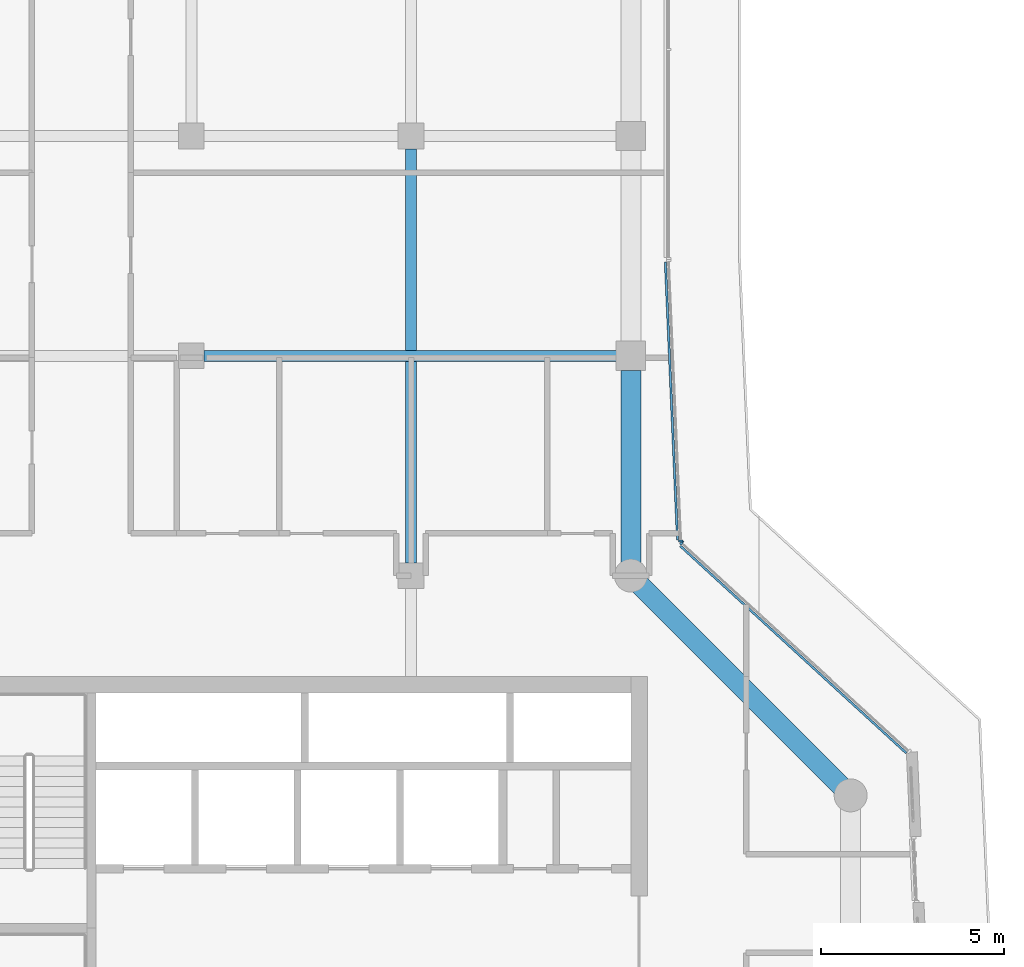
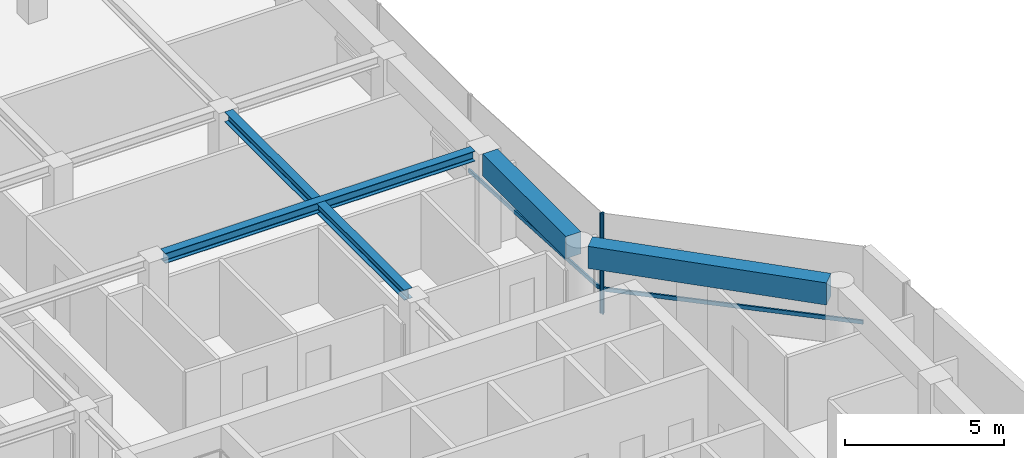
# One storey, part 5 of 21: 4 beams, 4 members, 2 elements without a shape of their own.
"""IFC4 building model written with IfcOpenShell, lengths in metres."""

from ifc_helpers import new_model, si_unit, direction, frame, origin, origin_2d, place, context, subcontext, project, spatial, rectangle, i_section, extrude, material, layer, layer_set, material_profile, profile_set, type_object, element, aggregate, save


model = new_model("IFC4")

# Units and contexts
model_context = context("Model", 3, precision=1e-05, world=origin(), true_north=direction((0.0, 1.0)))
body_context = subcontext(model_context, "Body", "Model", "MODEL_VIEW")
ifc_project = project(units=[si_unit("LENGTHUNIT", "METRE"), si_unit("AREAUNIT", "SQUARE_METRE"), si_unit("VOLUMEUNIT", "CUBIC_METRE"), si_unit("PLANEANGLEUNIT", "RADIAN"), si_unit("MASSUNIT", "GRAM", prefix="KILO")], contexts=[model_context])

# Site, building, storey
site_placement = place(None, origin())
site = spatial("IfcSite", under=ifc_project, at=site_placement, CompositionType="ELEMENT")
building_placement = place(site_placement, origin())
building = spatial("IfcBuilding", under=site, at=building_placement, Name="Welwitschia Terrace Campus", CompositionType="ELEMENT")
storey_placement = place(building_placement, frame((0.0, 0.0, 218.0)))
storey = spatial("IfcBuildingStorey", under=building, at=storey_placement, Name="L48", CompositionType="ELEMENT", Elevation=218.0)

# Beams
ifc_material_1 = material(Name="Steel S355", Category="steel")
ifc_material_profile_1 = material_profile(ifc_material_1, i_section(OverallWidth=0.300048828125, OverallDepth=0.389892578125, WebThickness=0.010986328125, FlangeThickness=0.01904296875, FilletRadius=0.027099609375, at=origin_2d()))
ifc_profile_set_1 = profile_set([ifc_material_profile_1], Name="Steel S355")
beam_type_1 = type_object("IfcBeamType", Name="Interior girder HE 400 A", PredefinedType="BEAM", material=ifc_profile_set_1)
beam_1_placement = place(storey_placement, frame((12.3505859375, 34.0, 3.655029296875), z_axis=(1.0, 0.0, 0.0), x_axis=(0.0, 1.0, 0.0)))
element("IfcBeam", 1, at=beam_1_placement, inside=storey, type_object=beam_type_1, Name="Girder GB5", PredefinedType="BEAM", context=body_context, shape_type="SweptSolid", body=[
    extrude(i_section(OverallWidth=0.300048828125, OverallDepth=0.389892578125, WebThickness=0.010986328125, FlangeThickness=0.01904296875, FilletRadius=0.027099609375, at=origin_2d()), origin(), (0.0, 0.0, 1.0), 11.259033203125),
])
beam_2_placement = place(storey_placement, frame((18.0, 28.3505859375, 3.655029296875), z_axis=(0.0, 1.0, 0.0), x_axis=(-1.0, 0.0, 0.0)))
element("IfcBeam", 2, at=beam_2_placement, inside=storey, type_object=beam_type_1, Name="Girder GB5", PredefinedType="BEAM", context=body_context, shape_type="SweptSolid", body=[
    extrude(i_section(OverallWidth=0.300048828125, OverallDepth=0.389892578125, WebThickness=0.010986328125, FlangeThickness=0.01904296875, FilletRadius=0.027099609375, at=origin_2d()), origin(), (0.0, 0.0, 1.0), 11.298828125),
])

# Curtain wall, member
ifc_material_2 = material(Name="Bronze anodised aluminium", Category="aluminium")
ifc_layer = layer(ifc_material_2, 0.1201171875)
ifc_layer_set = layer_set([ifc_layer], Name="Bronze anodised aluminium")
curtain_wall_type = type_object("IfcCurtainWallType", Name="Curtain wall CW2 tower 6000", PredefinedType="NOTDEFINED", material=ifc_layer_set)
curtain_wall_1_placement = place(storey_placement, origin())
curtain_wall_1 = element("IfcCurtainWall", 3, at=curtain_wall_1_placement, inside=storey, type_object=curtain_wall_type, Name="CW L48.4.0", PredefinedType="NOTDEFINED")
ifc_material_3 = material(Name="Bronze anodised aluminium", Category="aluminium")
ifc_material_profile_2 = material_profile(ifc_material_3, rectangle(XDim=0.1201171875, YDim=0.06005859375, at=origin_2d()))
ifc_profile_set_2 = profile_set([ifc_material_profile_2], Name="Bronze anodised aluminium")
member_type_1 = type_object("IfcMemberType", Name="Mullion 60x120", PredefinedType="MULLION", material=ifc_profile_set_2)
member_1_placement = place(storey_placement, frame((25.388916015625, 28.896240234375, 0.0), z_axis=(0.0, 0.0, 1.0), x_axis=(-0.675590207616, -0.73727733681, 0.0)))
member_1 = element("IfcMember", 4, at=member_1_placement, type_object=member_type_1, Name="Mullion L48.4.0.1", PredefinedType="MULLION", context=body_context, shape_type="SweptSolid", body=[
    extrude(rectangle(XDim=0.1201171875, YDim=0.06005859375, at=origin_2d()), origin(), (0.0, 0.0, 1.0), 3.85009765625),
])

curtain_wall_2_placement = place(storey_placement, origin())
curtain_wall_2 = element("IfcCurtainWall", 5, at=curtain_wall_2_placement, inside=storey, type_object=curtain_wall_type, Name="CW L48.5.0", PredefinedType="NOTDEFINED")
member_2_placement = place(storey_placement, frame((25.365478515625, 28.946533203125, 0.0), z_axis=(0.0, 0.0, 1.0), x_axis=(-0.999048221582, -0.043619387365, 0.0)))
member_2 = element("IfcMember", 6, at=member_2_placement, type_object=member_type_1, Name="Mullion L48.5.0.0", PredefinedType="MULLION", context=body_context, shape_type="SweptSolid", body=[
    extrude(rectangle(XDim=0.1201171875, YDim=0.06005859375, at=origin_2d()), origin(), (0.0, 0.0, 1.0), 3.85009765625),
])

# Beams
ifc_material_4 = material(Name="Concrete C50/60", Category="concrete")
ifc_material_profile_3 = material_profile(ifc_material_4, rectangle(XDim=0.550048828125, YDim=0.85009765625, at=origin_2d()))
ifc_profile_set_3 = profile_set([ifc_material_profile_3], Name="Concrete C50/60")
beam_type_2 = type_object("IfcBeamType", Name="Ring spandrel 550x850", PredefinedType="SPANDREL", material=ifc_profile_set_3)
beam_3_placement = place(storey_placement, frame((29.74755859375, 22.25244140625, 3.425048828125), z_axis=(-0.707106781187, 0.707106781187, 0.0), x_axis=(-0.707106781187, -0.707106781187, 0.0)))
element("IfcBeam", 7, at=beam_3_placement, inside=storey, type_object=beam_type_2, Name="Spandrel SP3", PredefinedType="SPANDREL", context=body_context, shape_type="SweptSolid", body=[
    extrude(rectangle(XDim=0.550048828125, YDim=0.85009765625, at=origin_2d()), origin(), (0.0, 0.0, 1.0), 7.771240234375),
])
beam_4_placement = place(storey_placement, frame((24.0, 28.35693359375, 3.425048828125), z_axis=(0.0, 1.0, 0.0), x_axis=(-1.0, 0.0, 0.0)))
element("IfcBeam", 8, at=beam_4_placement, inside=storey, type_object=beam_type_2, Name="Spandrel SP3", PredefinedType="SPANDREL", context=body_context, shape_type="SweptSolid", body=[
    extrude(rectangle(XDim=0.550048828125, YDim=0.85009765625, at=origin_2d()), origin(), (0.0, 0.0, 1.0), 5.24267578125),
])

# Member
ifc_material_5 = material(Name="Bronze anodised aluminium", Category="aluminium")
ifc_material_profile_4 = material_profile(ifc_material_5, rectangle(XDim=0.06005859375, YDim=0.14990234375, at=origin_2d()))
ifc_profile_set_4 = profile_set([ifc_material_profile_4], Name="Bronze anodised aluminium")
member_type_2 = type_object("IfcMemberType", Name="Transom 60x150", PredefinedType="USERDEFINED", material=ifc_profile_set_4)
member_3_placement = place(storey_placement, frame((31.517822265625, 23.158203125, 1.0), z_axis=(-0.737295863044, 0.675569989223, 0.0), x_axis=(-0.675569989223, -0.737295863044, 0.0)))
member_3 = element("IfcMember", 9, at=member_3_placement, type_object=member_type_2, Name="Transom L48.4.0", ObjectType="TRANSOM", PredefinedType="USERDEFINED", context=body_context, shape_type="SweptSolid", body=[
    extrude(rectangle(XDim=0.06005859375, YDim=0.14990234375, at=origin_2d()), origin(), (0.0, 0.0, 1.0), 8.365234375),
])

aggregate(curtain_wall_1, [member_1, member_3])

member_4_placement = place(storey_placement, frame((25.274169921875, 28.97265625, 1.0), z_axis=(-0.04362402604, 0.999048019042, 0.0), x_axis=(-0.999048019042, -0.04362402604, 0.0)))
member_4 = element("IfcMember", 10, at=member_4_placement, type_object=member_type_2, Name="Transom L48.5.0", ObjectType="TRANSOM", PredefinedType="USERDEFINED", context=body_context, shape_type="SweptSolid", body=[
    extrude(rectangle(XDim=0.06005859375, YDim=0.14990234375, at=origin_2d()), origin(), (0.0, 0.0, 1.0), 7.60009765625),
])

aggregate(curtain_wall_2, [member_2, member_4])

save(model, "model.ifc")
